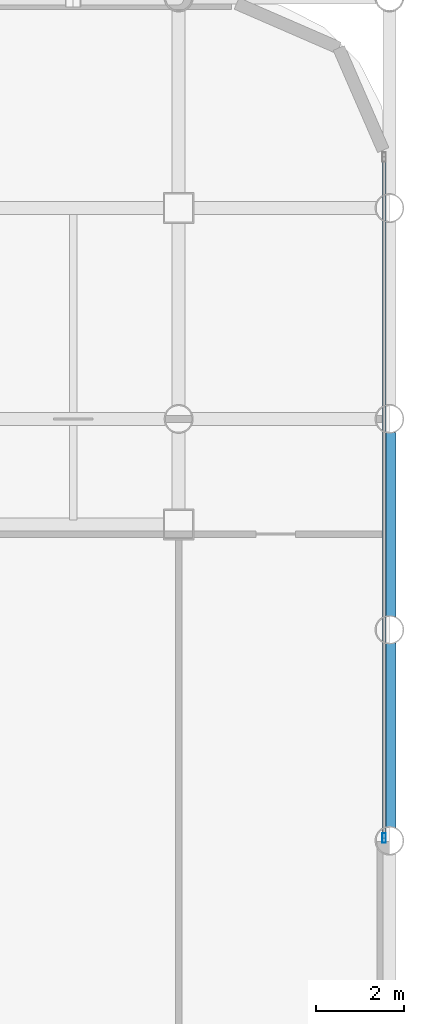
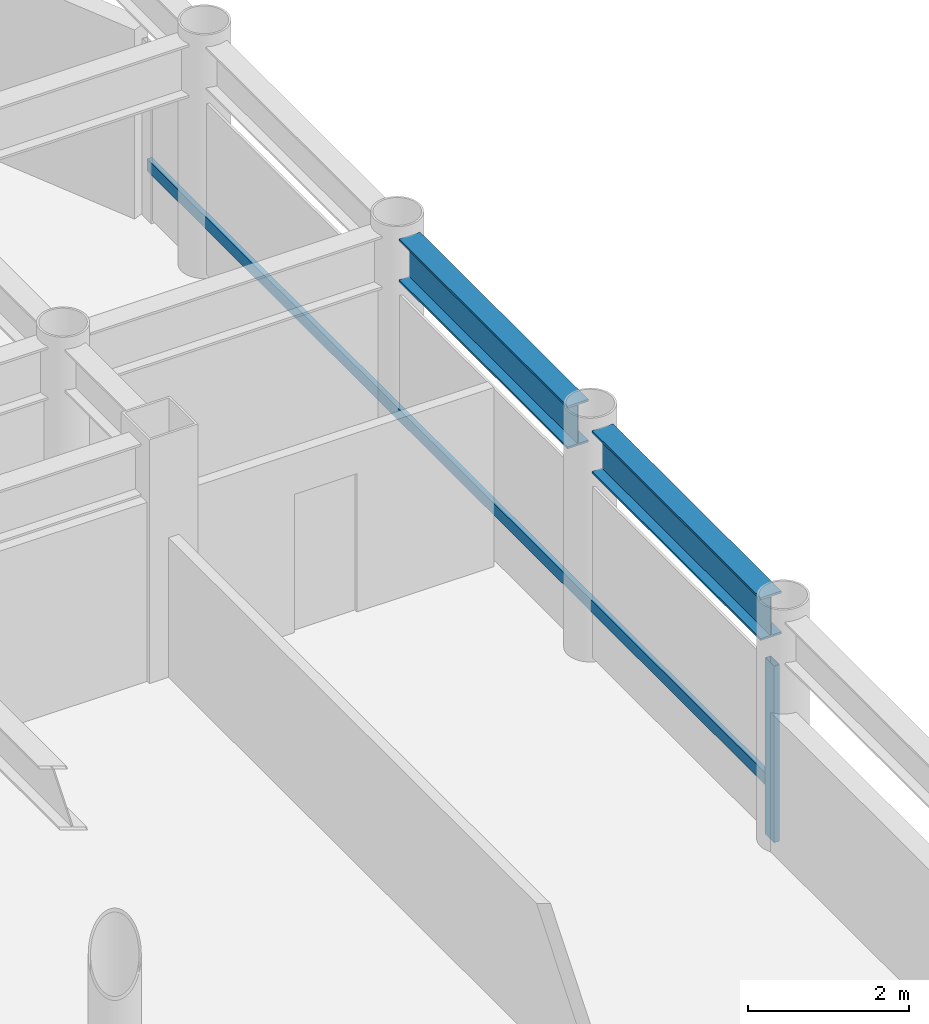
# One storey, part 8 of 19: 2 beams, 2 members, 1 element without a shape of its own.
"""IFC4 building model written with IfcOpenShell, lengths in metres."""

from ifc_helpers import new_model, si_unit, direction, frame, origin, origin_2d, place, context, subcontext, project, spatial, hollow_rectangle, i_section, extrude, material, layer, layer_set, material_profile, profile_set, type_object, element, aggregate, save


model = new_model("IFC4")

# Units and contexts
model_context = context("Model", 3, precision=1e-05, world=origin(), true_north=direction((0.0, 1.0)))
body_context = subcontext(model_context, "Body", "Model", "MODEL_VIEW")
ifc_project = project(units=[si_unit("LENGTHUNIT", "METRE"), si_unit("AREAUNIT", "SQUARE_METRE"), si_unit("VOLUMEUNIT", "CUBIC_METRE"), si_unit("PLANEANGLEUNIT", "RADIAN"), si_unit("MASSUNIT", "GRAM", prefix="KILO")], contexts=[model_context])

# Site, building, storey
site_placement = place(None, origin())
site = spatial("IfcSite", under=ifc_project, at=site_placement, CompositionType="ELEMENT")
building_placement = place(site_placement, origin())
building = spatial("IfcBuilding", under=site, at=building_placement, Name="Kallvorn Hotel Tower", CompositionType="ELEMENT")
storey_placement = place(building_placement, frame((0.0, 0.0, 165.5)))
storey = spatial("IfcBuildingStorey", under=building, at=storey_placement, Name="L41", CompositionType="ELEMENT", Elevation=165.5)

# Beams
ifc_material_1 = material(Name="Structural steel S355JR", Category="steel")
ifc_material_profile_1 = material_profile(ifc_material_1, i_section(OverallWidth=0.300048828125, OverallDepth=0.64990234375, WebThickness=0.01611328125, FlangeThickness=0.031005859375, at=origin_2d()), Name="HE 650 B")
ifc_profile_set_1 = profile_set([ifc_material_profile_1], Name="Structural steel S355JR")
beam_type = type_object("IfcBeamType", Name="BM_HE650B", PredefinedType="BEAM", material=ifc_profile_set_1)
beam_1_placement = place(storey_placement, frame((28.800048828125, 0.304931640625, 3.195068359375), z_axis=(0.0, 1.0, 0.0), x_axis=(-1.0, 0.0, 0.0)))
element("IfcBeam", 1, at=beam_1_placement, inside=storey, type_object=beam_type, Name="L42 Primary Y-Girder 147", PredefinedType="BEAM", context=body_context, shape_type="SweptSolid", body=[
    extrude(i_section(OverallWidth=0.300048828125, OverallDepth=0.64990234375, WebThickness=0.01611328125, FlangeThickness=0.031005859375, at=origin_2d()), origin(), (0.0, 0.0, 1.0), 4.190185546875),
])
beam_2_placement = place(storey_placement, frame((28.800048828125, 5.10498046875, 3.195068359375), z_axis=(0.0, 1.0, 0.0), x_axis=(-1.0, 0.0, 0.0)))
element("IfcBeam", 2, at=beam_2_placement, inside=storey, type_object=beam_type, Name="L42 Primary Y-Girder 148", PredefinedType="BEAM", context=body_context, shape_type="SweptSolid", body=[
    extrude(i_section(OverallWidth=0.300048828125, OverallDepth=0.64990234375, WebThickness=0.01611328125, FlangeThickness=0.031005859375, at=origin_2d()), origin(), (0.0, 0.0, 1.0), 4.18994140625),
])

# Curtain wall, members
ifc_material_2 = material(Name="Thermally broken black-anodised aluminium AA 6063-T6", Category="aluminium")
ifc_layer = layer(ifc_material_2, 0.2099609375)
ifc_layer_set = layer_set([ifc_layer], Name="CW_SYS_4_HOTEL_MID")
curtain_wall_type = type_object("IfcCurtainWallType", Name="CW_SYS_4_HOTEL_MID", PredefinedType="USERDEFINED", material=ifc_layer_set)
curtain_wall_placement = place(storey_placement, origin())
curtain_wall = element("IfcCurtainWall", 3, at=curtain_wall_placement, inside=storey, type_object=curtain_wall_type, Name="L41 Dark-Glass Curtain Wall CW-L41-EN", ObjectType="UNITISED CURTAIN WALL", PredefinedType="USERDEFINED")
ifc_material_3 = material(Name="Thermally broken black-anodised aluminium AA 6063-T6", Category="aluminium")
ifc_material_profile_2 = material_profile(ifc_material_3, hollow_rectangle(XDim=0.080078125, YDim=0.219970703125, WallThickness=0.0048828125, at=origin_2d()), Name="MUL 220x80")
ifc_profile_set_2 = profile_set([ifc_material_profile_2], Name="Thermally broken black-anodised aluminium AA 6063-T6")
member_type_1 = type_object("IfcMemberType", Name="CW_MULLION_220x80", PredefinedType="MULLION", material=ifc_profile_set_2)
member_1_placement = place(storey_placement, frame((28.679931640625, 0.06005859375, 0.02001953125), z_axis=(0.0, 0.0, 1.0), x_axis=(1.0, 0.0, 0.0)))
member_1 = element("IfcMember", 4, at=member_1_placement, type_object=member_type_1, Name="CW-L41-EN Mullion 00", PredefinedType="MULLION", context=body_context, shape_type="SweptSolid", body=[
    extrude(hollow_rectangle(XDim=0.080078125, YDim=0.219970703125, WallThickness=0.0048828125, at=origin_2d()), origin(), (0.0, 0.0, 1.0), 2.679931640625),
])
ifc_material_4 = material(Name="Thermally broken black-anodised aluminium AA 6063-T6", Category="aluminium")
ifc_material_profile_3 = material_profile(ifc_material_4, hollow_rectangle(XDim=0.070068359375, YDim=0.179931640625, WallThickness=0.00390625, at=origin_2d()), Name="TRN 180x70")
ifc_profile_set_3 = profile_set([ifc_material_profile_3], Name="Thermally broken black-anodised aluminium AA 6063-T6")
member_type_2 = type_object("IfcMemberType", Name="CW_TRANSOM_180x70", PredefinedType="USERDEFINED", material=ifc_profile_set_3)
member_2_placement = place(storey_placement, frame((28.679931640625, 0.06005859375, 0.85009765625), z_axis=(0.0, 1.0, 0.0), x_axis=(-1.0, 0.0, 0.0)))
member_2 = element("IfcMember", 5, at=member_2_placement, type_object=member_type_2, Name="CW-L41-EN Transom 00M", ObjectType="TRANSOM", PredefinedType="USERDEFINED", context=body_context, shape_type="SweptSolid", body=[
    extrude(hollow_rectangle(XDim=0.070068359375, YDim=0.179931640625, WallThickness=0.00390625, at=origin_2d()), origin(), (0.0, 0.0, 1.0), 15.5),
])
aggregate(curtain_wall, [member_1, member_2])

save(model, "model.ifc")
